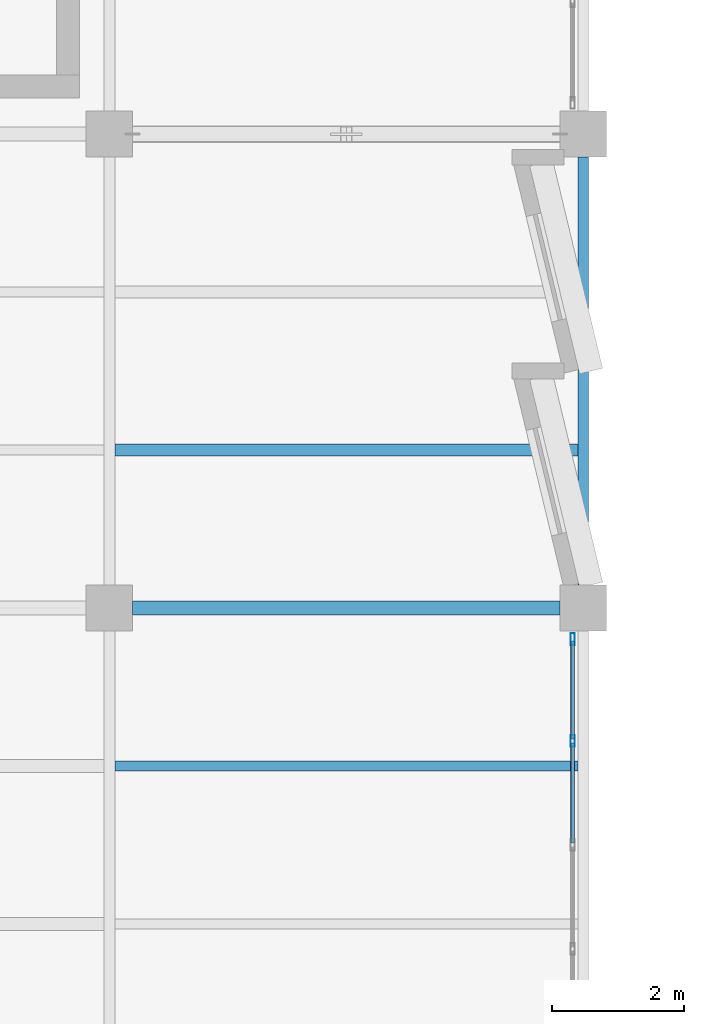
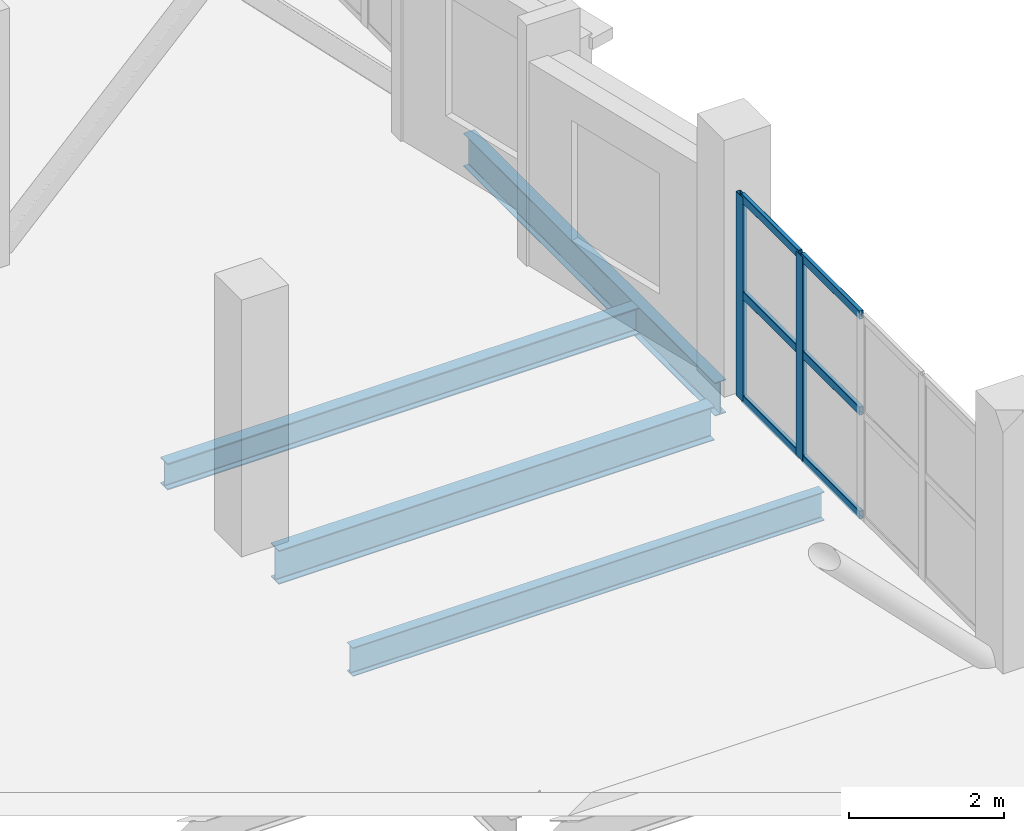
# One storey, part 11 of 33: 8 members, 4 beams, 1 element without a shape of its own.
"""IFC4 building model written with IfcOpenShell, lengths in metres."""

from ifc_helpers import new_model, si_unit, direction, frame, origin, origin_2d, place, context, subcontext, project, spatial, hollow_rectangle, i_section, extrude, material, material_profile, profile_set, type_object, element, aggregate, save


model = new_model("IFC4")

# Units and contexts
model_context = context("Model", 3, precision=1e-05, world=origin(), true_north=direction((0.0, 1.0)))
body_context = subcontext(model_context, "Body", "Model", "MODEL_VIEW")
ifc_project = project(units=[si_unit("LENGTHUNIT", "METRE"), si_unit("AREAUNIT", "SQUARE_METRE"), si_unit("VOLUMEUNIT", "CUBIC_METRE"), si_unit("PLANEANGLEUNIT", "RADIAN"), si_unit("MASSUNIT", "GRAM", prefix="KILO")], contexts=[model_context])

# Site, building, storey
site_placement = place(None, origin())
site = spatial("IfcSite", under=ifc_project, at=site_placement, CompositionType="ELEMENT")
building_placement = place(site_placement, origin())
building = spatial("IfcBuilding", under=site, at=building_placement, Name="Kalmorath City Hall", CompositionType="ELEMENT")
storey_placement = place(building_placement, frame((0.0, 0.0, 22.949951171875)))
storey = spatial("IfcBuildingStorey", under=building, at=storey_placement, Name="L05", CompositionType="ELEMENT", Elevation=22.949951171875)

# Curtain wall, members
ifc_material_1 = material(Name="Anodised aluminium and laminated glass", Category="aluminium")
curtain_wall_type = type_object("IfcCurtainWallType", Name="Unitised hurricane curtain wall 6320x3216 M1450", PredefinedType="NOTDEFINED", material=ifc_material_1)
curtain_wall_placement = place(storey_placement, origin())
curtain_wall = element("IfcCurtainWall", 1, at=curtain_wall_placement, inside=storey, type_object=curtain_wall_type, Name="L05 curtain wall CW-63X32M14 #173", PredefinedType="NOTDEFINED")
ifc_material_2 = material(Name="Anodised aluminium framing", Category="aluminium")
ifc_material_profile_1 = material_profile(ifc_material_2, hollow_rectangle(XDim=0.06494140625, YDim=0.179931640625, WallThickness=0.00390625, InnerFilletRadius=0.00390625, OuterFilletRadius=0.008056640625, at=origin_2d()), Name="ALU-MUL-180X65X4")
ifc_profile_set_1 = profile_set([ifc_material_profile_1], Name="Anodised aluminium framing")
member_type_1 = type_object("IfcMemberType", Name="Curtain-wall courtyard mullion 180x65", PredefinedType="MULLION", material=ifc_profile_set_1)
member_1_placement = place(storey_placement, frame((21.43994140625, 42.7275390625, 0.0), z_axis=(0.0, 0.0, 1.0), x_axis=(1.0, 0.0, 0.0)))
member_1 = element("IfcMember", 2, at=member_1_placement, type_object=member_type_1, Name="CW-63X32M14 mullion 1", PredefinedType="MULLION", context=body_context, shape_type="SweptSolid", body=[
    extrude(hollow_rectangle(XDim=0.06494140625, YDim=0.179931640625, WallThickness=0.00390625, InnerFilletRadius=0.00390625, OuterFilletRadius=0.008056640625, at=origin_2d()), origin(), (0.0, 0.0, 1.0), 3.216064453125),
])
member_2_placement = place(storey_placement, frame((21.43994140625, 41.179931640625, 0.0), z_axis=(0.0, 0.0, 1.0), x_axis=(1.0, 0.0, 0.0)))
member_2 = element("IfcMember", 3, at=member_2_placement, type_object=member_type_1, Name="CW-63X32M14 mullion 2", PredefinedType="MULLION", context=body_context, shape_type="SweptSolid", body=[
    extrude(hollow_rectangle(XDim=0.06494140625, YDim=0.179931640625, WallThickness=0.00390625, InnerFilletRadius=0.00390625, OuterFilletRadius=0.008056640625, at=origin_2d()), origin(), (0.0, 0.0, 1.0), 3.216064453125),
])
ifc_material_3 = material(Name="Anodised aluminium framing", Category="aluminium")
ifc_material_profile_2 = material_profile(ifc_material_3, hollow_rectangle(XDim=0.06005859375, YDim=0.1298828125, WallThickness=0.00341796875, InnerFilletRadius=0.00341796875, OuterFilletRadius=0.007080078125, at=origin_2d()), Name="ALU-TRN-130X60X3.5")
ifc_profile_set_2 = profile_set([ifc_material_profile_2], Name="Anodised aluminium framing")
member_type_2 = type_object("IfcMemberType", Name="Curtain-wall courtyard transom 130x60", PredefinedType="USERDEFINED", material=ifc_profile_set_2)
member_3_placement = place(storey_placement, frame((21.43994140625, 42.695068359375, 0.030029296875), z_axis=(0.0, -1.0, 0.0), x_axis=(1.0, 0.0, 0.0)))
member_3 = element("IfcMember", 4, at=member_3_placement, type_object=member_type_2, Name="CW-63X32M14 transom 1.1", ObjectType="TRANSOM", PredefinedType="USERDEFINED", context=body_context, shape_type="SweptSolid", body=[
    extrude(hollow_rectangle(XDim=0.06005859375, YDim=0.1298828125, WallThickness=0.00341796875, InnerFilletRadius=0.00341796875, OuterFilletRadius=0.007080078125, at=origin_2d()), origin(), (0.0, 0.0, 1.0), 1.482666015625),
])
member_4_placement = place(storey_placement, frame((21.43994140625, 42.695068359375, 1.672119140625), z_axis=(0.0, -1.0, 0.0), x_axis=(1.0, 0.0, 0.0)))
member_4 = element("IfcMember", 5, at=member_4_placement, type_object=member_type_2, Name="CW-63X32M14 transom 1.2", ObjectType="TRANSOM", PredefinedType="USERDEFINED", context=body_context, shape_type="SweptSolid", body=[
    extrude(hollow_rectangle(XDim=0.06005859375, YDim=0.1298828125, WallThickness=0.00341796875, InnerFilletRadius=0.00341796875, OuterFilletRadius=0.007080078125, at=origin_2d()), origin(), (0.0, 0.0, 1.0), 1.482666015625),
])
member_5_placement = place(storey_placement, frame((21.43994140625, 42.695068359375, 3.18603515625), z_axis=(0.0, -1.0, 0.0), x_axis=(1.0, 0.0, 0.0)))
member_5 = element("IfcMember", 6, at=member_5_placement, type_object=member_type_2, Name="CW-63X32M14 transom 1.3", ObjectType="TRANSOM", PredefinedType="USERDEFINED", context=body_context, shape_type="SweptSolid", body=[
    extrude(hollow_rectangle(XDim=0.06005859375, YDim=0.1298828125, WallThickness=0.00341796875, InnerFilletRadius=0.00341796875, OuterFilletRadius=0.007080078125, at=origin_2d()), origin(), (0.0, 0.0, 1.0), 1.482666015625),
])
member_6_placement = place(storey_placement, frame((21.43994140625, 41.1474609375, 0.030029296875), z_axis=(0.0, -1.0, 0.0), x_axis=(1.0, 0.0, 0.0)))
member_6 = element("IfcMember", 7, at=member_6_placement, type_object=member_type_2, Name="CW-63X32M14 transom 2.1", ObjectType="TRANSOM", PredefinedType="USERDEFINED", context=body_context, shape_type="SweptSolid", body=[
    extrude(hollow_rectangle(XDim=0.06005859375, YDim=0.1298828125, WallThickness=0.00341796875, InnerFilletRadius=0.00341796875, OuterFilletRadius=0.007080078125, at=origin_2d()), origin(), (0.0, 0.0, 1.0), 1.514892578125),
])
member_7_placement = place(storey_placement, frame((21.43994140625, 41.1474609375, 1.672119140625), z_axis=(0.0, -1.0, 0.0), x_axis=(1.0, 0.0, 0.0)))
member_7 = element("IfcMember", 8, at=member_7_placement, type_object=member_type_2, Name="CW-63X32M14 transom 2.2", ObjectType="TRANSOM", PredefinedType="USERDEFINED", context=body_context, shape_type="SweptSolid", body=[
    extrude(hollow_rectangle(XDim=0.06005859375, YDim=0.1298828125, WallThickness=0.00341796875, InnerFilletRadius=0.00341796875, OuterFilletRadius=0.007080078125, at=origin_2d()), origin(), (0.0, 0.0, 1.0), 1.514892578125),
])
member_8_placement = place(storey_placement, frame((21.43994140625, 41.1474609375, 3.18603515625), z_axis=(0.0, -1.0, 0.0), x_axis=(1.0, 0.0, 0.0)))
member_8 = element("IfcMember", 9, at=member_8_placement, type_object=member_type_2, Name="CW-63X32M14 transom 2.3", ObjectType="TRANSOM", PredefinedType="USERDEFINED", context=body_context, shape_type="SweptSolid", body=[
    extrude(hollow_rectangle(XDim=0.06005859375, YDim=0.1298828125, WallThickness=0.00341796875, InnerFilletRadius=0.00341796875, OuterFilletRadius=0.007080078125, at=origin_2d()), origin(), (0.0, 0.0, 1.0), 1.514892578125),
])
aggregate(curtain_wall, [member_1, member_2, member_3, member_4, member_5, member_6, member_7, member_8])

# Beams
ifc_material_4 = material(Name="Steel ASTM A992 Grade 50", Category="steel")
ifc_material_profile_3 = material_profile(ifc_material_4, i_section(OverallWidth=0.180908203125, OverallDepth=0.4169921875, WebThickness=0.010986328125, FlangeThickness=0.018310546875, FilletRadius=0.012939453125, at=origin_2d()), Name="W16X57")
ifc_profile_set_3 = profile_set([ifc_material_profile_3], Name="Steel ASTM A992 Grade 50")
beam_type_1 = type_object("IfcBeamType", Name="Steel composite joist W16X57", PredefinedType="JOIST", material=ifc_profile_set_3)
beam_1_placement = place(storey_placement, frame((14.4833984375, 45.60009765625, -0.50244140625), z_axis=(1.0, 0.0, 0.0), x_axis=(0.0, 1.0, 0.0)))
element("IfcBeam", 10, at=beam_1_placement, inside=storey, type_object=beam_type_1, Name="L05 joist SJ5 3.7.1", PredefinedType="JOIST", context=body_context, shape_type="SweptSolid", body=[
    extrude(i_section(OverallWidth=0.180908203125, OverallDepth=0.4169921875, WebThickness=0.010986328125, FlangeThickness=0.018310546875, FilletRadius=0.012939453125, at=origin_2d()), origin(), (0.0, 0.0, 1.0), 7.0341796875),
])
ifc_material_5 = material(Name="Steel ASTM A992 Grade 50", Category="steel")
ifc_material_profile_4 = material_profile(ifc_material_5, i_section(OverallWidth=0.153076171875, OverallDepth=0.455078125, WebThickness=0.008056640625, FlangeThickness=0.01318359375, FilletRadius=0.013916015625, at=origin_2d()), Name="W18X40")
ifc_profile_set_4 = profile_set([ifc_material_profile_4], Name="Steel ASTM A992 Grade 50")
beam_type_2 = type_object("IfcBeamType", Name="Steel composite joist W18X40", PredefinedType="JOIST", material=ifc_profile_set_4)
beam_2_placement = place(storey_placement, frame((14.4833984375, 40.800048828125, -0.521484375), z_axis=(1.0, 0.0, 0.0), x_axis=(0.0, 1.0, 0.0)))
element("IfcBeam", 11, at=beam_2_placement, inside=storey, type_object=beam_type_2, Name="L05 joist SJ4 3.6.2", PredefinedType="JOIST", context=body_context, shape_type="SweptSolid", body=[
    extrude(i_section(OverallWidth=0.153076171875, OverallDepth=0.455078125, WebThickness=0.008056640625, FlangeThickness=0.01318359375, FilletRadius=0.013916015625, at=origin_2d()), origin(), (0.0, 0.0, 1.0), 7.0341796875),
])
ifc_material_6 = material(Name="Steel ASTM A992 Grade 50", Category="steel")
ifc_material_profile_5 = material_profile(ifc_material_6, i_section(OverallWidth=0.208984375, OverallDepth=0.532958984375, WebThickness=0.01025390625, FlangeThickness=0.015625, FilletRadius=0.014892578125, at=origin_2d()), Name="W21X62")
ifc_profile_set_5 = profile_set([ifc_material_profile_5], Name="Steel ASTM A992 Grade 50")
beam_type_3 = type_object("IfcBeamType", Name="Steel floor beam W21X62", PredefinedType="BEAM", material=ifc_profile_set_5)
beam_3_placement = place(storey_placement, frame((14.75, 43.199951171875, -0.560546875), z_axis=(1.0, 0.0, 0.0), x_axis=(0.0, 1.0, 0.0)))
element("IfcBeam", 12, at=beam_3_placement, inside=storey, type_object=beam_type_3, Name="L05 girder SB2 X3-4/7", PredefinedType="BEAM", context=body_context, shape_type="SweptSolid", body=[
    extrude(i_section(OverallWidth=0.208984375, OverallDepth=0.532958984375, WebThickness=0.01025390625, FlangeThickness=0.015625, FilletRadius=0.014892578125, at=origin_2d()), origin(), (0.0, 0.0, 1.0), 6.5),
])
ifc_material_7 = material(Name="Steel ASTM A992 Grade 50", Category="steel")
ifc_material_profile_6 = material_profile(ifc_material_7, i_section(OverallWidth=0.1650390625, OverallDepth=0.52490234375, WebThickness=0.0087890625, FlangeThickness=0.011474609375, FilletRadius=0.014892578125, at=origin_2d()), Name="W21X44")
ifc_profile_set_6 = profile_set([ifc_material_profile_6], Name="Steel ASTM A992 Grade 50")
beam_type_4 = type_object("IfcBeamType", Name="Steel spandrel beam W21X44", PredefinedType="SPANDREL", material=ifc_profile_set_6)
beam_4_placement = place(storey_placement, frame((21.60009765625, 43.550048828125, -0.556396484375), z_axis=(0.0, 1.0, 0.0), x_axis=(-1.0, 0.0, 0.0)))
element("IfcBeam", 13, at=beam_4_placement, inside=storey, type_object=beam_type_4, Name="L05 girder SB4 Y4/7-8", PredefinedType="SPANDREL", context=body_context, shape_type="SweptSolid", body=[
    extrude(i_section(OverallWidth=0.1650390625, OverallDepth=0.52490234375, WebThickness=0.0087890625, FlangeThickness=0.011474609375, FilletRadius=0.014892578125, at=origin_2d()), origin(), (0.0, 0.0, 1.0), 6.5),
])

save(model, "model.ifc")
